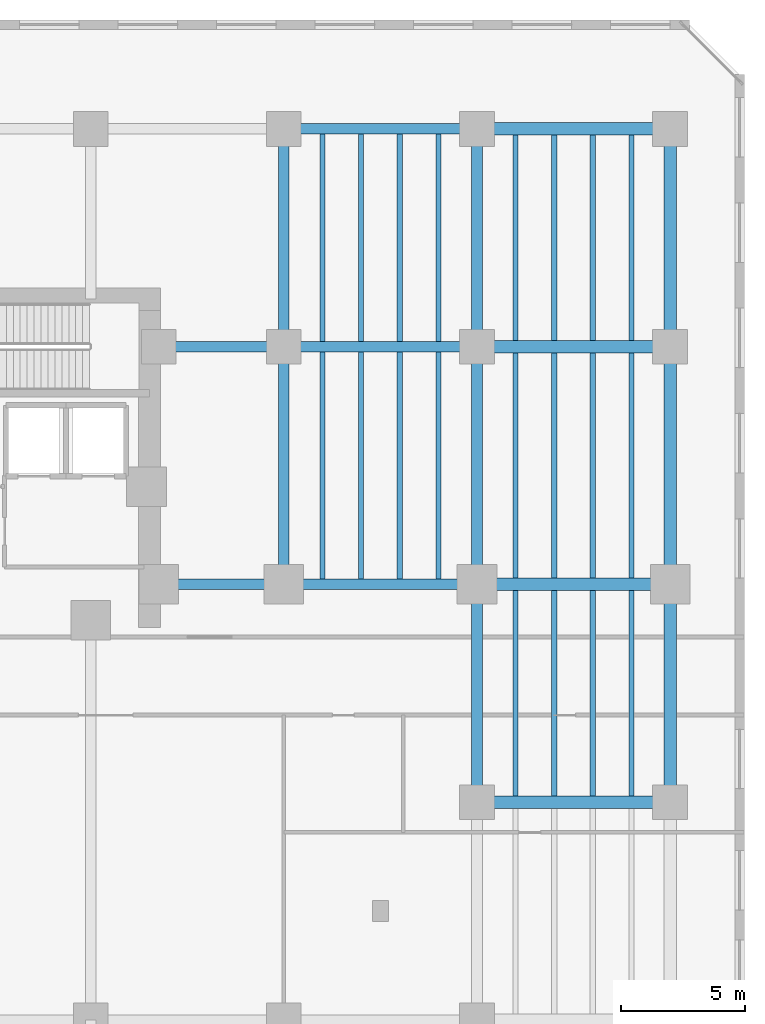
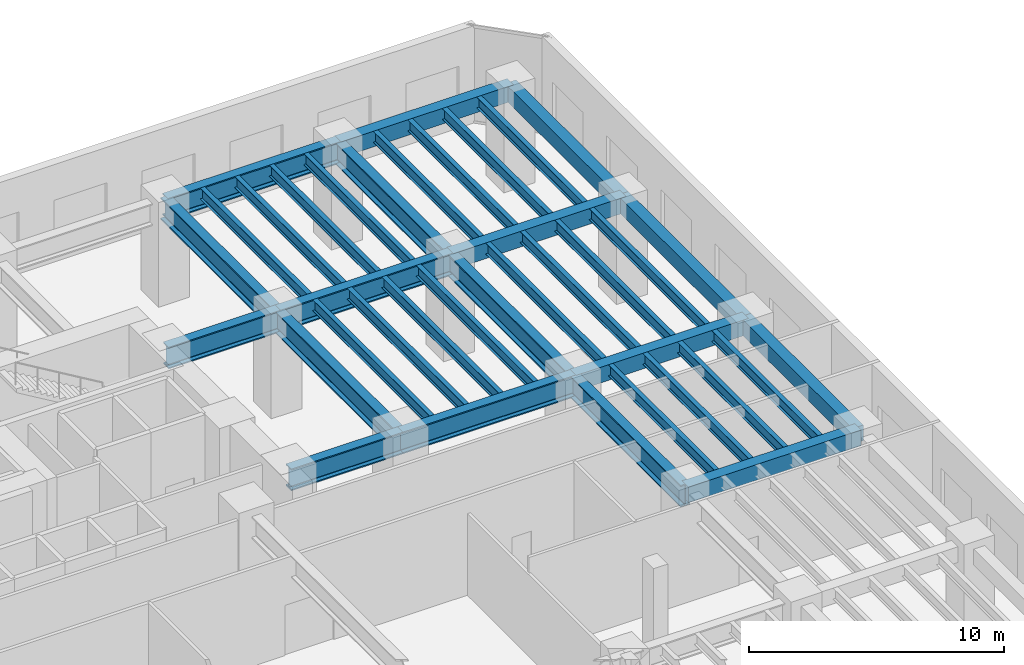
# One storey, part 7 of 19: 37 beams.
"""IFC4 building model written with IfcOpenShell, lengths in metres."""

from ifc_helpers import new_model, si_unit, direction, frame, origin, origin_2d, place, context, subcontext, project, spatial, rectangle, i_section, extrude, material, material_profile, profile_set, type_object, element, save


model = new_model("IFC4")

# Units and contexts
model_context = context("Model", 3, precision=1e-05, world=origin(), true_north=direction((0.0, 1.0)))
body_context = subcontext(model_context, "Body", "Model", "MODEL_VIEW")
ifc_project = project(units=[si_unit("LENGTHUNIT", "METRE"), si_unit("AREAUNIT", "SQUARE_METRE"), si_unit("VOLUMEUNIT", "CUBIC_METRE"), si_unit("PLANEANGLEUNIT", "RADIAN"), si_unit("MASSUNIT", "GRAM", prefix="KILO")], contexts=[model_context])

# Site, building, storey
site_placement = place(None, origin())
site = spatial("IfcSite", under=ifc_project, at=site_placement, CompositionType="ELEMENT")
building_placement = place(site_placement, origin())
building = spatial("IfcBuilding", under=site, at=building_placement, Name="Kestravale Grand Hotel", CompositionType="ELEMENT")
storey_placement = place(building_placement, frame((0.0, 0.0, 5.39990234375)))
storey = spatial("IfcBuildingStorey", under=building, at=storey_placement, Name="L01", CompositionType="ELEMENT", Elevation=5.39990234375)

# Beams
ifc_material_1 = material(Name="Steel ASTM A992 Grade 50", Category="steel")
ifc_material_profile_1 = material_profile(ifc_material_1, i_section(OverallWidth=0.2099609375, OverallDepth=0.535888671875, WebThickness=0.010986328125, FlangeThickness=0.017333984375, FilletRadius=0.017578125, at=origin_2d()))
ifc_profile_set_1 = profile_set([ifc_material_profile_1], Name="Steel ASTM A992 Grade 50")
beam_type_1 = type_object("IfcBeamType", Name="B-FLR-JST21", PredefinedType="JOIST", material=ifc_profile_set_1)
for number, where, z_axis, x_axis, name in (
    (1, (63.9599609375, 29.013427734375, 4.382080078125), (0.0, 1.0, 0.0), (-1.0, 0.0, 0.0), "L01 floor joist 10-11/E-F #1"),
    (2, (65.52001953125, 29.013427734375, 4.382080078125), (0.0, 1.0, 0.0), (-1.0, 0.0, 0.0), "L01 floor joist 10-11/E-F #2"),
    (3, (67.080078125, 29.013427734375, 4.382080078125), (0.0, 1.0, 0.0), (-1.0, 0.0, 0.0), "L01 floor joist 10-11/E-F #3"),
    (4, (68.639892578125, 29.013427734375, 4.382080078125), (0.0, 1.0, 0.0), (-1.0, 0.0, 0.0), "L01 floor joist 10-11/E-F #4"),
):
    element("IfcBeam", number, at=place(storey_placement, frame(where, z_axis=z_axis, x_axis=x_axis)), inside=storey, type_object=beam_type_1, Name=name, PredefinedType="JOIST", context=body_context, shape_type="SweptSolid", body=[
        extrude(i_section(OverallWidth=0.2099609375, OverallDepth=0.535888671875, WebThickness=0.010986328125, FlangeThickness=0.017333984375, FilletRadius=0.017578125, at=origin_2d()), origin(), (0.0, 0.0, 1.0), 9.173095703125),
    ])
for number, where, z_axis, x_axis, name in (
    (5, (63.9599609375, 38.613525390625, 4.382080078125), (0.0, 1.0, 0.0), (-1.0, 0.0, 0.0), "L01 floor joist 10-11/F-G #1"),
    (6, (65.52001953125, 38.613525390625, 4.382080078125), (0.0, 1.0, 0.0), (-1.0, 0.0, 0.0), "L01 floor joist 10-11/F-G #2"),
    (7, (67.080078125, 38.613525390625, 4.382080078125), (0.0, 1.0, 0.0), (-1.0, 0.0, 0.0), "L01 floor joist 10-11/F-G #3"),
    (8, (68.639892578125, 38.613525390625, 4.382080078125), (0.0, 1.0, 0.0), (-1.0, 0.0, 0.0), "L01 floor joist 10-11/F-G #4"),
):
    element("IfcBeam", number, at=place(storey_placement, frame(where, z_axis=z_axis, x_axis=x_axis)), inside=storey, type_object=beam_type_1, Name=name, PredefinedType="JOIST", context=body_context, shape_type="SweptSolid", body=[
        extrude(i_section(OverallWidth=0.2099609375, OverallDepth=0.535888671875, WebThickness=0.010986328125, FlangeThickness=0.017333984375, FilletRadius=0.017578125, at=origin_2d()), origin(), (0.0, 0.0, 1.0), 8.373046875),
    ])
for number, where, z_axis, x_axis, name in (
    (9, (71.760009765625, 20.25, 4.382080078125), (0.0, 1.0, 0.0), (-1.0, 0.0, 0.0), "L01 floor joist 11-12/D-E #1"),
    (10, (73.320068359375, 20.25, 4.382080078125), (0.0, 1.0, 0.0), (-1.0, 0.0, 0.0), "L01 floor joist 11-12/D-E #2"),
    (11, (74.8798828125, 20.25, 4.382080078125), (0.0, 1.0, 0.0), (-1.0, 0.0, 0.0), "L01 floor joist 11-12/D-E #3"),
    (12, (76.43994140625, 20.25, 4.382080078125), (0.0, 1.0, 0.0), (-1.0, 0.0, 0.0), "L01 floor joist 11-12/D-E #4"),
):
    element("IfcBeam", number, at=place(storey_placement, frame(where, z_axis=z_axis, x_axis=x_axis)), inside=storey, type_object=beam_type_1, Name=name, PredefinedType="JOIST", context=body_context, shape_type="SweptSolid", body=[
        extrude(i_section(OverallWidth=0.2099609375, OverallDepth=0.535888671875, WebThickness=0.010986328125, FlangeThickness=0.017333984375, FilletRadius=0.017578125, at=origin_2d()), origin(), (0.0, 0.0, 1.0), 8.300048828125),
    ])
for number, where, z_axis, x_axis, name in (
    (13, (71.760009765625, 29.050048828125, 4.382080078125), (0.0, 1.0, 0.0), (-1.0, 0.0, 0.0), "L01 floor joist 11-12/E-F #1"),
    (14, (73.320068359375, 29.050048828125, 4.382080078125), (0.0, 1.0, 0.0), (-1.0, 0.0, 0.0), "L01 floor joist 11-12/E-F #2"),
    (15, (74.8798828125, 29.050048828125, 4.382080078125), (0.0, 1.0, 0.0), (-1.0, 0.0, 0.0), "L01 floor joist 11-12/E-F #3"),
    (16, (76.43994140625, 29.050048828125, 4.382080078125), (0.0, 1.0, 0.0), (-1.0, 0.0, 0.0), "L01 floor joist 11-12/E-F #4"),
):
    element("IfcBeam", number, at=place(storey_placement, frame(where, z_axis=z_axis, x_axis=x_axis)), inside=storey, type_object=beam_type_1, Name=name, PredefinedType="JOIST", context=body_context, shape_type="SweptSolid", body=[
        extrude(i_section(OverallWidth=0.2099609375, OverallDepth=0.535888671875, WebThickness=0.010986328125, FlangeThickness=0.017333984375, FilletRadius=0.017578125, at=origin_2d()), origin(), (0.0, 0.0, 1.0), 9.099853515625),
    ])
for number, where, z_axis, x_axis, name in (
    (17, (71.760009765625, 38.64990234375, 4.382080078125), (0.0, 1.0, 0.0), (-1.0, 0.0, 0.0), "L01 floor joist 11-12/F-G #1"),
    (18, (73.320068359375, 38.64990234375, 4.382080078125), (0.0, 1.0, 0.0), (-1.0, 0.0, 0.0), "L01 floor joist 11-12/F-G #2"),
    (19, (74.8798828125, 38.64990234375, 4.382080078125), (0.0, 1.0, 0.0), (-1.0, 0.0, 0.0), "L01 floor joist 11-12/F-G #3"),
    (20, (76.43994140625, 38.64990234375, 4.382080078125), (0.0, 1.0, 0.0), (-1.0, 0.0, 0.0), "L01 floor joist 11-12/F-G #4"),
):
    element("IfcBeam", number, at=place(storey_placement, frame(where, z_axis=z_axis, x_axis=x_axis)), inside=storey, type_object=beam_type_1, Name=name, PredefinedType="JOIST", context=body_context, shape_type="SweptSolid", body=[
        extrude(i_section(OverallWidth=0.2099609375, OverallDepth=0.535888671875, WebThickness=0.010986328125, FlangeThickness=0.017333984375, FilletRadius=0.017578125, at=origin_2d()), origin(), (0.0, 0.0, 1.0), 8.300048828125),
    ])
ifc_material_2 = material(Name="Concrete f'c 45 MPa", Category="concrete")
ifc_material_profile_2 = material_profile(ifc_material_2, rectangle(XDim=0.5, YDim=0.75, at=origin_2d()))
ifc_profile_set_2 = profile_set([ifc_material_profile_2], Name="Concrete f'c 45 MPa")
beam_type_2 = type_object("IfcBeamType", Name="B-FLR-RC750", PredefinedType="SPANDREL", material=ifc_profile_set_2)
for number, where, z_axis, x_axis, name in (
    (21, (70.199951171875, 20.0, 4.275146484375), (1.0, 0.0, 0.0), (0.0, 1.0, 0.0), "L01 spandrel D:11-12"),
    (22, (70.199951171875, 28.800048828125, 4.275146484375), (1.0, 0.0, 0.0), (0.0, 1.0, 0.0), "L01 spandrel E:11-12"),
    (23, (70.199951171875, 38.39990234375, 4.275146484375), (1.0, 0.0, 0.0), (0.0, 1.0, 0.0), "L01 spandrel F:11-12"),
    (24, (70.199951171875, 47.199951171875, 4.275146484375), (1.0, 0.0, 0.0), (0.0, 1.0, 0.0), "L01 spandrel G:11-12"),
):
    element("IfcBeam", number, at=place(storey_placement, frame(where, z_axis=z_axis, x_axis=x_axis)), inside=storey, type_object=beam_type_2, Name=name, PredefinedType="SPANDREL", context=body_context, shape_type="SweptSolid", body=[
        extrude(rectangle(XDim=0.5, YDim=0.75, at=origin_2d()), origin(), (0.0, 0.0, 1.0), 7.800048828125),
    ])
beam_1_placement = place(storey_placement, frame((78.0, 20.0, 4.275146484375), z_axis=(0.0, 1.0, 0.0), x_axis=(-1.0, 0.0, 0.0)))
element("IfcBeam", 25, at=beam_1_placement, inside=storey, type_object=beam_type_2, Name="L01 spandrel 12:D-E", PredefinedType="SPANDREL", context=body_context, shape_type="SweptSolid", body=[
    extrude(rectangle(XDim=0.5, YDim=0.75, at=origin_2d()), origin(), (0.0, 0.0, 1.0), 8.800048828125),
])
beam_2_placement = place(storey_placement, frame((78.0, 28.800048828125, 4.275146484375), z_axis=(0.0, 1.0, 0.0), x_axis=(-1.0, 0.0, 0.0)))
element("IfcBeam", 26, at=beam_2_placement, inside=storey, type_object=beam_type_2, Name="L01 spandrel 12:E-F", PredefinedType="SPANDREL", context=body_context, shape_type="SweptSolid", body=[
    extrude(rectangle(XDim=0.5, YDim=0.75, at=origin_2d()), origin(), (0.0, 0.0, 1.0), 9.599853515625),
])
beam_3_placement = place(storey_placement, frame((78.0, 38.39990234375, 4.275146484375), z_axis=(0.0, 1.0, 0.0), x_axis=(-1.0, 0.0, 0.0)))
element("IfcBeam", 27, at=beam_3_placement, inside=storey, type_object=beam_type_2, Name="L01 spandrel 12:F-G", PredefinedType="SPANDREL", context=body_context, shape_type="SweptSolid", body=[
    extrude(rectangle(XDim=0.5, YDim=0.75, at=origin_2d()), origin(), (0.0, 0.0, 1.0), 8.800048828125),
])
ifc_material_3 = material(Name="Steel ASTM A992 Grade 50", Category="steel")
ifc_material_profile_3 = material_profile(ifc_material_3, i_section(OverallWidth=0.427001953125, OverallDepth=1.0400390625, WebThickness=0.031005859375, FlangeThickness=0.055908203125, FilletRadius=0.028076171875, at=origin_2d()))
ifc_profile_set_3 = profile_set([ifc_material_profile_3], Name="Steel ASTM A992 Grade 50")
beam_type_3 = type_object("IfcBeamType", Name="B-GRD-W40", PredefinedType="BEAM", material=ifc_profile_set_3)
beam_4_placement = place(storey_placement, frame((57.35009765625, 28.800048828125, 4.130126953125), z_axis=(1.0, 0.0, 0.0), x_axis=(0.0, 1.0, 0.0)))
element("IfcBeam", 28, at=beam_4_placement, inside=storey, type_object=beam_type_3, Name="L01 girder E:CE-10", PredefinedType="BEAM", context=body_context, shape_type="SweptSolid", body=[
    extrude(i_section(OverallWidth=0.427001953125, OverallDepth=1.0400390625, WebThickness=0.031005859375, FlangeThickness=0.055908203125, FilletRadius=0.028076171875, at=origin_2d()), origin(), (0.0, 0.0, 1.0), 5.0498046875),
])
beam_5_placement = place(storey_placement, frame((62.39990234375, 28.800048828125, 4.130126953125), z_axis=(1.0, 0.0, 0.0), x_axis=(0.0, 1.0, 0.0)))
element("IfcBeam", 29, at=beam_5_placement, inside=storey, type_object=beam_type_3, Name="L01 girder E:10-11", PredefinedType="BEAM", context=body_context, shape_type="SweptSolid", body=[
    extrude(i_section(OverallWidth=0.427001953125, OverallDepth=1.0400390625, WebThickness=0.031005859375, FlangeThickness=0.055908203125, FilletRadius=0.028076171875, at=origin_2d()), origin(), (0.0, 0.0, 1.0), 7.800048828125),
])
beam_6_placement = place(storey_placement, frame((57.35009765625, 38.39990234375, 4.130126953125), z_axis=(1.0, 0.0, 0.0), x_axis=(0.0, 1.0, 0.0)))
element("IfcBeam", 30, at=beam_6_placement, inside=storey, type_object=beam_type_3, Name="L01 girder F:CE-10", PredefinedType="BEAM", context=body_context, shape_type="SweptSolid", body=[
    extrude(i_section(OverallWidth=0.427001953125, OverallDepth=1.0400390625, WebThickness=0.031005859375, FlangeThickness=0.055908203125, FilletRadius=0.028076171875, at=origin_2d()), origin(), (0.0, 0.0, 1.0), 5.0498046875),
])
for number, where, z_axis, x_axis, name in (
    (31, (62.39990234375, 38.39990234375, 4.130126953125), (1.0, 0.0, 0.0), (0.0, 1.0, 0.0), "L01 girder F:10-11"),
    (32, (62.39990234375, 47.199951171875, 4.130126953125), (1.0, 0.0, 0.0), (0.0, 1.0, 0.0), "L01 girder G:10-11"),
):
    element("IfcBeam", number, at=place(storey_placement, frame(where, z_axis=z_axis, x_axis=x_axis)), inside=storey, type_object=beam_type_3, Name=name, PredefinedType="BEAM", context=body_context, shape_type="SweptSolid", body=[
        extrude(i_section(OverallWidth=0.427001953125, OverallDepth=1.0400390625, WebThickness=0.031005859375, FlangeThickness=0.055908203125, FilletRadius=0.028076171875, at=origin_2d()), origin(), (0.0, 0.0, 1.0), 7.800048828125),
    ])
beam_7_placement = place(storey_placement, frame((62.39990234375, 28.800048828125, 4.130126953125), z_axis=(0.0, 1.0, 0.0), x_axis=(-1.0, 0.0, 0.0)))
element("IfcBeam", 33, at=beam_7_placement, inside=storey, type_object=beam_type_3, Name="L01 girder 10:E-F", PredefinedType="BEAM", context=body_context, shape_type="SweptSolid", body=[
    extrude(i_section(OverallWidth=0.427001953125, OverallDepth=1.0400390625, WebThickness=0.031005859375, FlangeThickness=0.055908203125, FilletRadius=0.028076171875, at=origin_2d()), origin(), (0.0, 0.0, 1.0), 9.599853515625),
])
for number, where, z_axis, x_axis, name in (
    (34, (62.39990234375, 38.39990234375, 4.130126953125), (0.0, 1.0, 0.0), (-1.0, 0.0, 0.0), "L01 girder 10:F-G"),
    (35, (70.199951171875, 20.0, 4.130126953125), (0.0, 1.0, 0.0), (-1.0, 0.0, 0.0), "L01 girder 11:D-E"),
):
    element("IfcBeam", number, at=place(storey_placement, frame(where, z_axis=z_axis, x_axis=x_axis)), inside=storey, type_object=beam_type_3, Name=name, PredefinedType="BEAM", context=body_context, shape_type="SweptSolid", body=[
        extrude(i_section(OverallWidth=0.427001953125, OverallDepth=1.0400390625, WebThickness=0.031005859375, FlangeThickness=0.055908203125, FilletRadius=0.028076171875, at=origin_2d()), origin(), (0.0, 0.0, 1.0), 8.800048828125),
    ])
beam_8_placement = place(storey_placement, frame((70.199951171875, 28.800048828125, 4.130126953125), z_axis=(0.0, 1.0, 0.0), x_axis=(-1.0, 0.0, 0.0)))
element("IfcBeam", 36, at=beam_8_placement, inside=storey, type_object=beam_type_3, Name="L01 girder 11:E-F", PredefinedType="BEAM", context=body_context, shape_type="SweptSolid", body=[
    extrude(i_section(OverallWidth=0.427001953125, OverallDepth=1.0400390625, WebThickness=0.031005859375, FlangeThickness=0.055908203125, FilletRadius=0.028076171875, at=origin_2d()), origin(), (0.0, 0.0, 1.0), 9.599853515625),
])
beam_9_placement = place(storey_placement, frame((70.199951171875, 38.39990234375, 4.130126953125), z_axis=(0.0, 1.0, 0.0), x_axis=(-1.0, 0.0, 0.0)))
element("IfcBeam", 37, at=beam_9_placement, inside=storey, type_object=beam_type_3, Name="L01 girder 11:F-G", PredefinedType="BEAM", context=body_context, shape_type="SweptSolid", body=[
    extrude(i_section(OverallWidth=0.427001953125, OverallDepth=1.0400390625, WebThickness=0.031005859375, FlangeThickness=0.055908203125, FilletRadius=0.028076171875, at=origin_2d()), origin(), (0.0, 0.0, 1.0), 8.800048828125),
])

save(model, "model.ifc")
